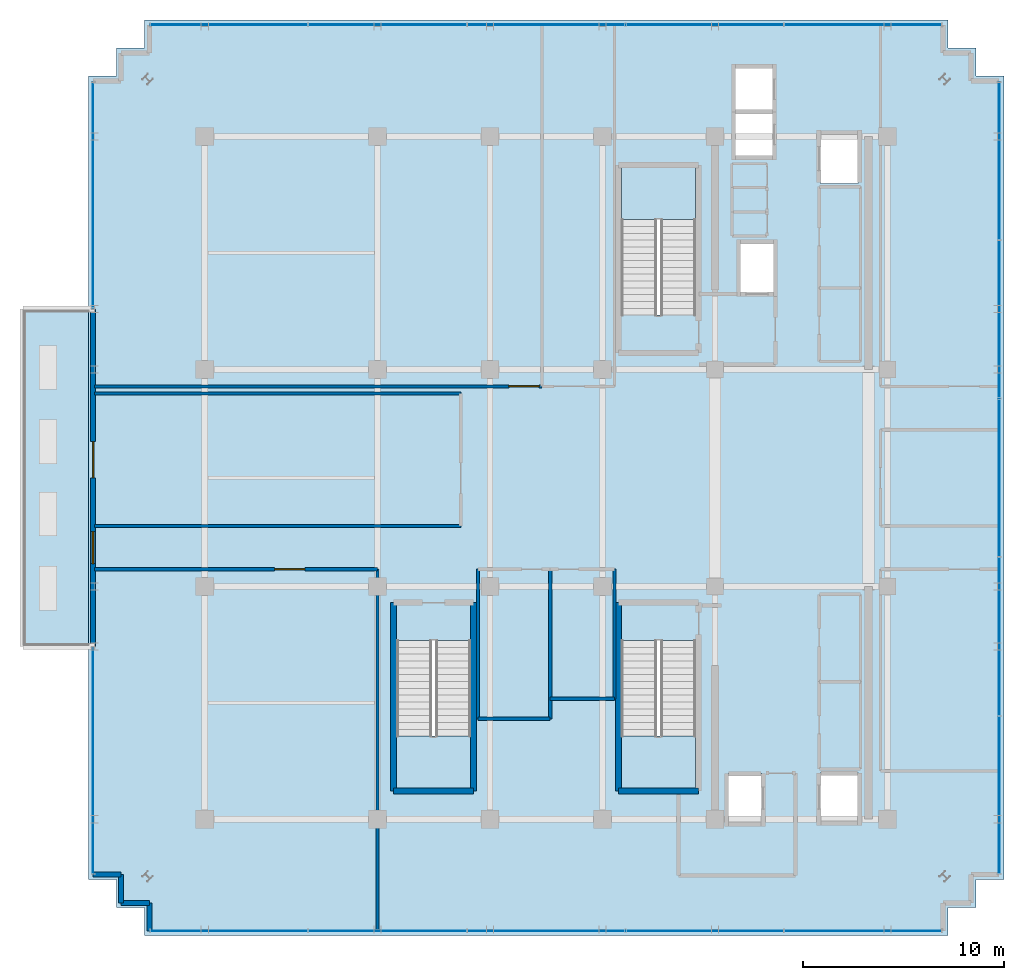
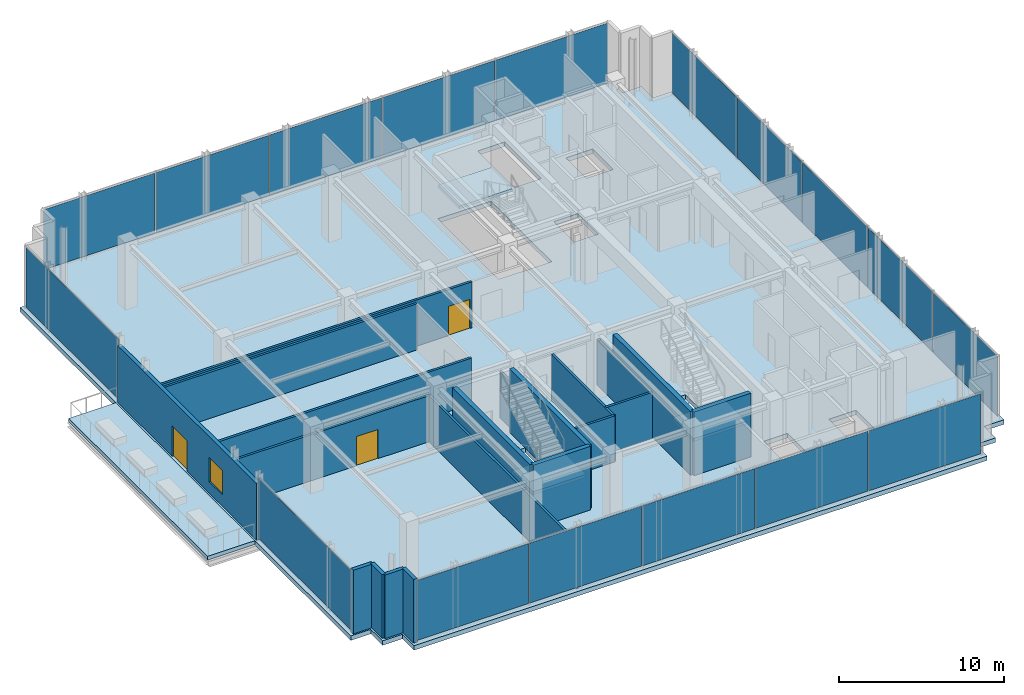
# One storey, part 22 of 28: 20 walls, 17 plates, 5 slabs, 3 doors, 1 window, 4 openings, 8 elements without a shape of their own.
"""IFC4 building model written with IfcOpenShell, lengths in metres."""

import ifcopenshell
import ifcopenshell.guid

model = None  # the IFC model being written
_history = None  # IfcOwnerHistory: only IFC2X3 demands one
_inside = {}  # id of a spatial element -> (the spatial element, [elements in it])
_under = {}  # id of a project, library or spatial element -> (it, [spatial elements below it])
_declared = {}  # id of a project -> (the project, [libraries it declares])
_typed = {}  # id of a type object -> (the type object, [elements of that type])
_made_of = {}  # id of a material, layer set ... -> (it, [elements and type objects made of it])


def new_model(schema):
    """Start an empty IFC model of exactly this schema.

    Asked for "IFC4X3", IfcOpenShell would pick the latest addendum, in which some entities
    have other attributes; the version numbers below select the first issue.
    IFC2X3 requires an IfcOwnerHistory on every rooted entity: one is made here for all.
    """
    global model, _history
    if schema == "IFC4X3":
        model = ifcopenshell.file(schema_version=(4, 3, 0, 0))
    else:
        model = ifcopenshell.file(schema=schema)
    _inside.clear()
    _under.clear()
    _declared.clear()
    _typed.clear()
    _made_of.clear()
    _history = None
    if model.schema == "IFC2X3":
        org = make("IfcOrganization", Name="unknown")
        user = make(
            "IfcPersonAndOrganization",
            ThePerson=make("IfcPerson", FamilyName="unknown"),
            TheOrganization=org,
        )
        app = make(
            "IfcApplication",
            ApplicationDeveloper=org,
            Version="unknown",
            ApplicationFullName="unknown",
            ApplicationIdentifier="unknown",
        )
        _history = make(
            "IfcOwnerHistory",
            OwningUser=user,
            OwningApplication=app,
            ChangeAction="ADDED",
            CreationDate=0,
        )
    return model


def make(cls, **values):
    """One entity of the class cls with the attributes given. An attribute that is None is left unset."""
    return model.create_entity(
        cls, **{name: value for name, value in values.items() if value is not None}
    )


def rooted(cls, **values):
    """An entity with a GlobalId (a new one), such as an element, a storey or a relation."""
    return make(cls, GlobalId=ifcopenshell.guid.new(), OwnerHistory=_history, **values)


def si_unit(unit_type, name, prefix=None):
    """IfcSIUnit, for example si_unit("LENGTHUNIT", "METRE", prefix="MILLI")."""
    return make("IfcSIUnit", UnitType=unit_type, Prefix=prefix, Name=name)


def assignment(units):
    """IfcUnitAssignment: the units of a project."""
    return None if units is None else make("IfcUnitAssignment", Units=units)


def point(xyz):
    """IfcCartesianPoint."""
    return None if xyz is None else make("IfcCartesianPoint", Coordinates=xyz)


def direction(xyz):
    """IfcDirection."""
    return None if xyz is None else make("IfcDirection", DirectionRatios=xyz)


def frame(location, z_axis=None, x_axis=None):
    """IfcAxis2Placement3D, a coordinate frame: its origin and axes. An axis left out is left unset."""
    return make(
        "IfcAxis2Placement3D",
        Location=point(location),
        Axis=direction(z_axis),
        RefDirection=direction(x_axis),
    )


def frame_2d(location, x_axis=None):
    """IfcAxis2Placement2D, a coordinate frame in the plane: its origin and x axis."""
    return make(
        "IfcAxis2Placement2D", Location=point(location), RefDirection=direction(x_axis)
    )


def origin():
    """The frame at (0, 0, 0) with its axes left unset."""
    return frame((0.0, 0.0, 0.0))


def origin_2d():
    """The frame at (0, 0) in the plane with its x axis left unset."""
    return frame_2d((0.0, 0.0))


def place(relative_to, where):
    """IfcLocalPlacement: puts the frame where relative to a parent placement (None: the world)."""
    return make(
        "IfcLocalPlacement", PlacementRelTo=relative_to, RelativePlacement=where
    )


def context(
    kind, dimensions, precision=None, world=None, true_north=None, identifier=None
):
    """IfcGeometricRepresentationContext, for example the 3D "Model" context."""
    return make(
        "IfcGeometricRepresentationContext",
        ContextIdentifier=identifier,
        ContextType=kind,
        CoordinateSpaceDimension=dimensions,
        Precision=precision,
        WorldCoordinateSystem=world,
        TrueNorth=true_north,
    )


def subcontext(parent, identifier, kind, view, scale=None):
    """IfcGeometricRepresentationSubContext, for example "Body" below "Model"."""
    return make(
        "IfcGeometricRepresentationSubContext",
        ContextIdentifier=identifier,
        ContextType=kind,
        ParentContext=parent,
        TargetScale=scale,
        TargetView=view,
    )


def project(units=None, contexts=None):
    """IfcProject with its units and contexts."""
    return rooted(
        "IfcProject",
        Name="project",
        RepresentationContexts=contexts,
        UnitsInContext=assignment(units),
    )


def spatial(cls, under=None, at=None, **own):
    """A site, building, storey or space (cls), placed at a placement, below another one or the project."""
    s = rooted(cls, ObjectPlacement=at, **own)
    if under is not None:
        _under.setdefault(under.id(), (under, []))[1].append(s)
    return s


def polyline(points):
    """IfcPolyline through the points."""
    return make("IfcPolyline", Points=[point(p) for p in points])


def profile(cls, at=None, kind="AREA", **sizes):
    """A parametric profile (cls). Its sizes go by their IFC names, for example OverallWidth=200.0."""
    return make(cls, ProfileType=kind, Position=at, **sizes)


def rectangle(**sizes):
    """IfcRectangleProfileDef."""
    return profile("IfcRectangleProfileDef", **sizes)


def outline(outer, holes=None, kind="AREA"):
    """IfcArbitraryClosedProfileDef: a profile drawn as a closed curve; with holes, ...WithVoids."""
    if holes is None:
        return make("IfcArbitraryClosedProfileDef", ProfileType=kind, OuterCurve=outer)
    return make(
        "IfcArbitraryProfileDefWithVoids",
        ProfileType=kind,
        OuterCurve=outer,
        InnerCurves=holes,
    )


def extrude(swept, where, along, depth):
    """IfcExtrudedAreaSolid: the profile swept, set in the frame where, extruded along a direction by depth."""
    return make(
        "IfcExtrudedAreaSolid",
        SweptArea=swept,
        Position=where,
        ExtrudedDirection=direction(along),
        Depth=depth,
    )


def shape(context_of_items, identifier, shape_type, items):
    """IfcShapeRepresentation: the items that make up one representation, for example the "Body"."""
    return make(
        "IfcShapeRepresentation",
        ContextOfItems=context_of_items,
        RepresentationIdentifier=identifier,
        RepresentationType=shape_type,
        Items=items,
    )


def source(mapping_origin, context_of_items, identifier, shape_type, items):
    """IfcRepresentationMap: a shape defined once, which mapped items show again and again."""
    return make(
        "IfcRepresentationMap",
        MappingOrigin=mapping_origin,
        MappedRepresentation=shape(context_of_items, identifier, shape_type, items),
    )


def transform(
    local_origin,
    x_axis=None,
    y_axis=None,
    z_axis=None,
    scale=None,
    scale2=None,
    scale3=None,
    uniform=True,
):
    """IfcCartesianTransformationOperator3D, or its non-uniform kind. x_axis, y_axis, z_axis: its Axis1, 2, 3."""
    if uniform:
        return make(
            "IfcCartesianTransformationOperator3D",
            Axis1=direction(x_axis),
            Axis2=direction(y_axis),
            LocalOrigin=point(local_origin),
            Scale=scale,
            Axis3=direction(z_axis),
        )
    return make(
        "IfcCartesianTransformationOperator3DnonUniform",
        Axis1=direction(x_axis),
        Axis2=direction(y_axis),
        LocalOrigin=point(local_origin),
        Scale=scale,
        Axis3=direction(z_axis),
        Scale2=scale2,
        Scale3=scale3,
    )


def mapped(mapping_source, mapping_target):
    """IfcMappedItem: shows the shape of a source again, moved by a transform."""
    return make(
        "IfcMappedItem", MappingSource=mapping_source, MappingTarget=mapping_target
    )


def material(Name=None, Category=None):
    """IfcMaterial."""
    return make("IfcMaterial", Name=Name, Category=Category)


def layer(
    of_material, thickness, ventilated=None, Name=None, Category=None, Priority=None
):
    """IfcMaterialLayer: one layer of a wall or slab, of a material (None: an air gap)."""
    return make(
        "IfcMaterialLayer",
        Material=of_material,
        LayerThickness=thickness,
        IsVentilated=ventilated,
        Name=Name,
        Category=Category,
        Priority=Priority,
    )


def layer_set(layers, Name=None):
    """IfcMaterialLayerSet."""
    return make("IfcMaterialLayerSet", MaterialLayers=layers, LayerSetName=Name)


def made_of(thing, what):
    """Note that an element or type object is made of a material, layer set ...; save() writes the relation."""
    if what is not None:
        _made_of.setdefault(what.id(), (what, []))[1].append(thing)
    return thing


def type_object(cls, material=None, **own):
    """A type object (cls), such as IfcWallType, which elements share."""
    return made_of(rooted(cls, **own), material)


def element(
    cls,
    number,
    at=None,
    inside=None,
    cuts=None,
    type_object=None,
    material=None,
    context=None,
    identifier="Body",
    shape_type=None,
    held_by="IfcProductDefinitionShape",
    body=None,
    shapes=None,
    **own,
):
    """One element of the class cls, such as IfcWall. Its Tag is "e" and its number.

    at: its placement. inside: the storey or other place that contains it. cuts: it is an
    opening in that element (IfcRelVoidsElement). A single representation is given by context,
    identifier, shape_type and body (its items); several are given by shapes. held_by: the class
    of the entity that holds the representations. save() writes the other relations.
    """
    e = rooted(cls, Tag="e%d" % number, ObjectPlacement=at, **own)
    if body is not None:
        shapes = [shape(context, identifier, shape_type, body)]
    if shapes is not None:
        e.Representation = make(held_by, Representations=shapes)
    if inside is not None:
        _inside.setdefault(inside.id(), (inside, []))[1].append(e)
    if cuts is not None:
        rooted(
            "IfcRelVoidsElement", RelatingBuildingElement=cuts, RelatedOpeningElement=e
        )
    if type_object is not None:
        _typed.setdefault(type_object.id(), (type_object, []))[1].append(e)
    return made_of(e, material)


def fill(opening, filler):
    """IfcRelFillsElement: the door or window that sits in an opening."""
    return rooted(
        "IfcRelFillsElement",
        RelatingOpeningElement=opening,
        RelatedBuildingElement=filler,
    )


def aggregate(whole, parts):
    """IfcRelAggregates: a whole, such as a stair, and the parts it consists of."""
    return rooted("IfcRelAggregates", RelatingObject=whole, RelatedObjects=parts)


def save(model, path):
    """Write the relations noted so far, then the file.

    IfcRelAggregates (storeys below a building ...), IfcRelContainedInSpatialStructure (elements
    in a storey), IfcRelDefinesByType, IfcRelAssociatesMaterial and IfcRelDeclares: one each for
    every whole, place, type object, material and project.
    """
    for whole, parts in _under.values():
        aggregate(whole, parts)
    for where, things in _inside.values():
        rooted(
            "IfcRelContainedInSpatialStructure",
            RelatedElements=things,
            RelatingStructure=where,
        )
    for kind, things in _typed.values():
        rooted("IfcRelDefinesByType", RelatedObjects=things, RelatingType=kind)
    for what, things in _made_of.values():
        rooted("IfcRelAssociatesMaterial", RelatedObjects=things, RelatingMaterial=what)
    for by, libraries in _declared.values():
        rooted("IfcRelDeclares", RelatingContext=by, RelatedDefinitions=libraries)
    model.write(path)


model = new_model("IFC4")

# Units and contexts
model_context = context("Model", 3, precision=1e-05, world=origin(), true_north=direction((0.0, 1.0)))
body_context = subcontext(model_context, "Body", "Model", "MODEL_VIEW")
ifc_project = project(units=[si_unit("LENGTHUNIT", "METRE"), si_unit("AREAUNIT", "SQUARE_METRE"), si_unit("VOLUMEUNIT", "CUBIC_METRE"), si_unit("PLANEANGLEUNIT", "RADIAN"), si_unit("MASSUNIT", "GRAM", prefix="KILO")], contexts=[model_context])

# Site, building, storey
site_placement = place(None, origin())
site = spatial("IfcSite", under=ifc_project, at=site_placement, CompositionType="ELEMENT")
building_placement = place(site_placement, origin())
building = spatial("IfcBuilding", under=site, at=building_placement, Name="Nahalor Promenade Grand Hotel", CompositionType="ELEMENT")
storey_placement = place(building_placement, frame((0.0, 0.0, 352.050048828125)))
storey = spatial("IfcBuildingStorey", under=building, at=storey_placement, Name="L90", CompositionType="ELEMENT", Elevation=352.050048828125)

# Stair, slab
ifc_material_1 = material(Name="Concrete B-50 (C40/50)", Category="concrete")
stair_type_1 = type_object("IfcStairType", Name="Stair-ST1", PredefinedType="HALF_TURN_STAIR", material=ifc_material_1)
stair_1_placement = place(storey_placement, origin())
stair_1 = element("IfcStair", 1, at=stair_1_placement, inside=storey, type_object=stair_type_1, Name="L90 ST1", PredefinedType="HALF_TURN_STAIR")
ifc_layer_1 = layer(ifc_material_1, 0.199951171875)
ifc_layer_set_1 = layer_set([ifc_layer_1], Name="Concrete B-50 (C40/50)")
slab_type_1 = type_object("IfcSlabType", Name="Landing-ST1", PredefinedType="LANDING", material=ifc_layer_set_1)
slab_1_placement = place(storey_placement, frame((0.0, 0.0, 2.300048828125)))
slab_1 = element("IfcSlab", 2, at=slab_1_placement, type_object=slab_type_1, Name="ST1 landing 1", PredefinedType="LANDING", context=body_context, shape_type="SweptSolid", body=[
    extrude(outline(polyline([(7.449951171875, 12.860107421875), (7.449951171875, 15.449951171875), (3.75, 15.449951171875), (3.75, 12.860107421875), (7.449951171875, 12.860107421875)])), origin(), (0.0, 0.0, 1.0), 0.199951171875),
])
aggregate(stair_1, [slab_1])

stair_type_2 = type_object("IfcStairType", Name="Stair-ST2", PredefinedType="HALF_TURN_STAIR", material=ifc_material_1)
stair_2_placement = place(storey_placement, origin())
stair_2 = element("IfcStair", 3, at=stair_2_placement, inside=storey, type_object=stair_type_2, Name="L90 ST2", PredefinedType="HALF_TURN_STAIR")
ifc_layer_2 = layer(ifc_material_1, 0.2099609375)
ifc_layer_set_2 = layer_set([ifc_layer_2], Name="Concrete B-50 (C40/50)")
slab_type_2 = type_object("IfcSlabType", Name="Landing-ST2", PredefinedType="LANDING", material=ifc_layer_set_2)
slab_2_placement = place(storey_placement, frame((0.0, 0.0, 2.2900390625)))
slab_2 = element("IfcSlab", 4, at=slab_2_placement, type_object=slab_type_2, Name="ST2 landing 1", PredefinedType="LANDING", context=body_context, shape_type="SweptSolid", body=[
    extrude(outline(polyline([(3.75, -12.860107421875), (3.75, -15.449951171875), (7.449951171875, -15.449951171875), (7.449951171875, -12.860107421875), (3.75, -12.860107421875)])), origin(), (0.0, 0.0, 1.0), 0.2099609375),
])
aggregate(stair_2, [slab_2])

stair_type_3 = type_object("IfcStairType", Name="Stair-ST3", PredefinedType="HALF_TURN_STAIR", material=ifc_material_1)
stair_3_placement = place(storey_placement, origin())
stair_3 = element("IfcStair", 5, at=stair_3_placement, inside=storey, type_object=stair_type_3, Name="L90 ST3", PredefinedType="HALF_TURN_STAIR")
ifc_layer_3 = layer(ifc_material_1, 0.219970703125)
ifc_layer_set_3 = layer_set([ifc_layer_3], Name="Concrete B-50 (C40/50)")
slab_type_3 = type_object("IfcSlabType", Name="Landing-ST3", PredefinedType="LANDING", material=ifc_layer_set_3)
slab_3_placement = place(storey_placement, frame((0.0, 0.0, 2.280029296875)))
slab_3 = element("IfcSlab", 6, at=slab_3_placement, type_object=slab_type_3, Name="ST3 landing 1", PredefinedType="LANDING", context=body_context, shape_type="SweptSolid", body=[
    extrude(outline(polyline([(-7.449951171875, -12.860107421875), (-7.449951171875, -15.449951171875), (-3.75, -15.449951171875), (-3.75, -12.860107421875), (-7.449951171875, -12.860107421875)])), origin(), (0.0, 0.0, 1.0), 0.219970703125),
])
aggregate(stair_3, [slab_3])

# Slabs
ifc_layer_4 = layer(ifc_material_1, 0.280029296875)
ifc_layer_set_4 = layer_set([ifc_layer_4], Name="Concrete B-50 (C40/50)")
slab_type_4 = type_object("IfcSlabType", Name="Slab-Balcony-280", PredefinedType="FLOOR", material=ifc_layer_set_4)
slab_4_placement = place(storey_placement, frame((0.0, 0.0, -0.280029296875)))
element("IfcSlab", 7, at=slab_4_placement, inside=storey, type_object=slab_type_4, Name="L90 Sky Garden Belvedere Terrace", PredefinedType="FLOOR", context=body_context, shape_type="SweptSolid", body=[
    extrude(outline(polyline([(-26.10009765625, -8.39990234375), (-22.800048828125, -8.39990234375), (-22.800048828125, 8.39990234375), (-26.10009765625, 8.39990234375), (-26.10009765625, -8.39990234375)])), origin(), (0.0, 0.0, 1.0), 0.280029296875),
])
ifc_layer_5 = layer(ifc_material_1, 0.330078125)
ifc_layer_set_5 = layer_set([ifc_layer_5], Name="Concrete B-50 (C40/50)")
slab_type_5 = type_object("IfcSlabType", Name="Slab-Observation-330", PredefinedType="FLOOR", material=ifc_layer_set_5)
slab_5_placement = place(storey_placement, frame((0.0, 0.0, -0.330078125)))
element("IfcSlab", 8, at=slab_5_placement, inside=storey, type_object=slab_type_5, Name="L90 Suspended Structural Floor Slab", PredefinedType="FLOOR", context=body_context, shape_type="SweptSolid", body=[
    extrude(outline(polyline([(-20.0, -22.800048828125), (20.0, -22.800048828125), (20.0, -21.39990234375), (21.39990234375, -21.39990234375), (21.39990234375, -20.0), (22.800048828125, -20.0), (22.800048828125, 20.0), (21.39990234375, 20.0), (21.39990234375, 21.39990234375), (20.0, 21.39990234375), (20.0, 22.800048828125), (-20.0, 22.800048828125), (-20.0, 21.39990234375), (-21.39990234375, 21.39990234375), (-21.39990234375, 20.0), (-22.800048828125, 20.0), (-22.800048828125, -20.0), (-21.39990234375, -20.0), (-21.39990234375, -21.39990234375), (-20.0, -21.39990234375), (-20.0, -22.800048828125)]), holes=[polyline([(3.75, 8.10009765625), (7.449951171875, 8.10009765625), (7.449951171875, 15.449951171875), (3.75, 15.449951171875), (3.75, 8.10009765625)]), polyline([(3.75, -15.449951171875), (7.449951171875, -15.449951171875), (7.449951171875, -8.10009765625), (3.75, -8.10009765625), (3.75, -15.449951171875)]), polyline([(-7.449951171875, -15.449951171875), (-3.75, -15.449951171875), (-3.75, -8.10009765625), (-7.449951171875, -8.10009765625), (-7.449951171875, -15.449951171875)]), polyline([(9.409912109375, 16.010009765625), (11.2900390625, 16.010009765625), (11.2900390625, 20.43994140625), (9.409912109375, 20.43994140625), (9.409912109375, 16.010009765625)]), polyline([(9.659912109375, 9.2099609375), (11.340087890625, 9.2099609375), (11.340087890625, 11.68994140625), (9.659912109375, 11.68994140625), (9.659912109375, 9.2099609375)]), polyline([(9.06005859375, -17.18994140625), (10.739990234375, -17.18994140625), (10.739990234375, -14.7099609375), (9.06005859375, -14.7099609375), (9.06005859375, -17.18994140625)]), polyline([(13.659912109375, 14.659912109375), (15.5400390625, 14.659912109375), (15.5400390625, 17.139892578125), (13.659912109375, 17.139892578125), (13.659912109375, 14.659912109375)]), polyline([(13.659912109375, -17.139892578125), (15.5400390625, -17.139892578125), (15.5400390625, -14.659912109375), (13.659912109375, -14.659912109375), (13.659912109375, -17.139892578125)])]), origin(), (0.0, 0.0, 1.0), 0.330078125),
])

# Curtain wall, plates
ifc_material_2 = material(Name="Anodised Bronze Aluminium EN AW-6063 T6", Category="aluminium")
curtain_wall_type = type_object("IfcCurtainWallType", Name="CW6 Crown Botanical Conservatory Curtain Wall", PredefinedType="USERDEFINED", material=ifc_material_2)
curtain_wall_1_placement = place(storey_placement, origin())
curtain_wall_1 = element("IfcCurtainWall", 9, at=curtain_wall_1_placement, inside=storey, type_object=curtain_wall_type, Name="L90 Curtain Wall CW-L90-S-1", ObjectType="UNITISED_CURTAIN_WALL", PredefinedType="USERDEFINED")
ifc_material_3 = material(Name="Low-E Laminated Solar Glass", Category="glass")
ifc_layer_6 = layer(ifc_material_3, 0.033935546875)
ifc_layer_set_6 = layer_set([ifc_layer_6], Name="Low-E Laminated Solar Glass")
plate_type = type_object("IfcPlateType", Name="CWP6 Conservatory Solar-Select IGU 34mm", PredefinedType="CURTAIN_PANEL", material=ifc_layer_set_6)
shared_shape_1 = source(origin(), body_context, "Body", "SweptSolid", [
    extrude(rectangle(XDim=7.79150390625, YDim=0.033935546875, at=origin_2d()), origin(), (0.0, 0.0, 1.0), 4.429931640625),
])
plate_1_placement = place(storey_placement, frame((-15.789306640625, -22.56005859375, 0.134765625), z_axis=(0.0, 0.0, 1.0), x_axis=(1.0, 0.0, 0.0)))
plate_1 = element("IfcPlate", 10, at=plate_1_placement, type_object=plate_type, Name="CW-L90-S-1 Glazing Panel 0-0", PredefinedType="CURTAIN_PANEL", context=body_context, shape_type="MappedRepresentation", body=[
    mapped(shared_shape_1, transform((0.0, 0.0, 0.0), scale=1.0)),
])
plate_2_placement = place(storey_placement, frame((15.789306640625, -22.56005859375, 0.134765625), z_axis=(0.0, 0.0, 1.0), x_axis=(1.0, 0.0, 0.0)))
plate_2 = element("IfcPlate", 11, at=plate_2_placement, type_object=plate_type, Name="CW-L90-S-1 Glazing Panel 4-0", PredefinedType="CURTAIN_PANEL", context=body_context, shape_type="MappedRepresentation", body=[
    mapped(shared_shape_1, transform((0.0, 0.0, 0.0), scale=1.0)),
])

curtain_wall_2_placement = place(storey_placement, origin())
curtain_wall_2 = element("IfcCurtainWall", 12, at=curtain_wall_2_placement, inside=storey, type_object=curtain_wall_type, Name="L90 Curtain Wall CW-L90-N-1", ObjectType="UNITISED_CURTAIN_WALL", PredefinedType="USERDEFINED")
plate_3_placement = place(storey_placement, frame((-15.789306640625, 22.56005859375, 0.134765625), z_axis=(0.0, 0.0, 1.0), x_axis=(1.0, 0.0, 0.0)))
plate_3 = element("IfcPlate", 13, at=plate_3_placement, type_object=plate_type, Name="CW-L90-N-1 Glazing Panel 0-0", PredefinedType="CURTAIN_PANEL", context=body_context, shape_type="MappedRepresentation", body=[
    mapped(shared_shape_1, transform((0.0, 0.0, 0.0), scale=1.0)),
])
plate_4_placement = place(storey_placement, frame((15.789306640625, 22.56005859375, 0.134765625), z_axis=(0.0, 0.0, 1.0), x_axis=(1.0, 0.0, 0.0)))
plate_4 = element("IfcPlate", 14, at=plate_4_placement, type_object=plate_type, Name="CW-L90-N-1 Glazing Panel 4-0", PredefinedType="CURTAIN_PANEL", context=body_context, shape_type="MappedRepresentation", body=[
    mapped(shared_shape_1, transform((0.0, 0.0, 0.0), scale=1.0)),
])

curtain_wall_3_placement = place(storey_placement, origin())
curtain_wall_3 = element("IfcCurtainWall", 15, at=curtain_wall_3_placement, inside=storey, type_object=curtain_wall_type, Name="L90 Curtain Wall CW-L90-E-1", ObjectType="UNITISED_CURTAIN_WALL", PredefinedType="USERDEFINED")
plate_5_placement = place(storey_placement, frame((22.56005859375, -15.789306640625, 0.134765625), z_axis=(0.0, 0.0, 1.0), x_axis=(0.0, 1.0, 0.0)))
plate_5 = element("IfcPlate", 16, at=plate_5_placement, type_object=plate_type, Name="CW-L90-E-1 Glazing Panel 0-0", PredefinedType="CURTAIN_PANEL", context=body_context, shape_type="MappedRepresentation", body=[
    mapped(shared_shape_1, transform((0.0, 0.0, 0.0), scale=1.0)),
])
plate_6_placement = place(storey_placement, frame((22.56005859375, 15.789306640625, 0.134765625), z_axis=(0.0, 0.0, 1.0), x_axis=(0.0, 1.0, 0.0)))
plate_6 = element("IfcPlate", 17, at=plate_6_placement, type_object=plate_type, Name="CW-L90-E-1 Glazing Panel 4-0", PredefinedType="CURTAIN_PANEL", context=body_context, shape_type="MappedRepresentation", body=[
    mapped(shared_shape_1, transform((0.0, 0.0, 0.0), scale=1.0)),
])

# Plate
shared_shape_2 = source(origin(), body_context, "Body", "SweptSolid", [
    extrude(rectangle(XDim=7.8291015625, YDim=0.033935546875, at=origin_2d()), origin(), (0.0, 0.0, 1.0), 4.429931640625),
])
plate_7_placement = place(storey_placement, frame((-7.904052734375, -22.56005859375, 0.134765625), z_axis=(0.0, 0.0, 1.0), x_axis=(1.0, 0.0, 0.0)))
plate_7 = element("IfcPlate", 18, at=plate_7_placement, type_object=plate_type, Name="CW-L90-S-1 Glazing Panel 1-0", PredefinedType="CURTAIN_PANEL", context=body_context, shape_type="MappedRepresentation", body=[
    mapped(shared_shape_2, transform((0.0, 0.0, 0.0), scale=1.0)),
])

plate_8_placement = place(storey_placement, frame((0.0, -22.56005859375, 0.134765625), z_axis=(0.0, 0.0, 1.0), x_axis=(1.0, 0.0, 0.0)))
plate_8 = element("IfcPlate", 19, at=plate_8_placement, type_object=plate_type, Name="CW-L90-S-1 Glazing Panel 2-0", PredefinedType="CURTAIN_PANEL", context=body_context, shape_type="MappedRepresentation", body=[
    mapped(shared_shape_2, transform((0.0, 0.0, 0.0), scale=1.0)),
])

plate_9_placement = place(storey_placement, frame((7.904052734375, -22.56005859375, 0.134765625), z_axis=(0.0, 0.0, 1.0), x_axis=(1.0, 0.0, 0.0)))
plate_9 = element("IfcPlate", 20, at=plate_9_placement, type_object=plate_type, Name="CW-L90-S-1 Glazing Panel 3-0", PredefinedType="CURTAIN_PANEL", context=body_context, shape_type="MappedRepresentation", body=[
    mapped(shared_shape_2, transform((0.0, 0.0, 0.0), scale=1.0)),
])

aggregate(curtain_wall_1, [plate_1, plate_7, plate_8, plate_9, plate_2])

plate_10_placement = place(storey_placement, frame((-7.904052734375, 22.56005859375, 0.134765625), z_axis=(0.0, 0.0, 1.0), x_axis=(1.0, 0.0, 0.0)))
plate_10 = element("IfcPlate", 21, at=plate_10_placement, type_object=plate_type, Name="CW-L90-N-1 Glazing Panel 1-0", PredefinedType="CURTAIN_PANEL", context=body_context, shape_type="MappedRepresentation", body=[
    mapped(shared_shape_2, transform((0.0, 0.0, 0.0), scale=1.0)),
])

plate_11_placement = place(storey_placement, frame((0.0, 22.56005859375, 0.134765625), z_axis=(0.0, 0.0, 1.0), x_axis=(1.0, 0.0, 0.0)))
plate_11 = element("IfcPlate", 22, at=plate_11_placement, type_object=plate_type, Name="CW-L90-N-1 Glazing Panel 2-0", PredefinedType="CURTAIN_PANEL", context=body_context, shape_type="MappedRepresentation", body=[
    mapped(shared_shape_2, transform((0.0, 0.0, 0.0), scale=1.0)),
])

plate_12_placement = place(storey_placement, frame((7.904052734375, 22.56005859375, 0.134765625), z_axis=(0.0, 0.0, 1.0), x_axis=(1.0, 0.0, 0.0)))
plate_12 = element("IfcPlate", 23, at=plate_12_placement, type_object=plate_type, Name="CW-L90-N-1 Glazing Panel 3-0", PredefinedType="CURTAIN_PANEL", context=body_context, shape_type="MappedRepresentation", body=[
    mapped(shared_shape_2, transform((0.0, 0.0, 0.0), scale=1.0)),
])

aggregate(curtain_wall_2, [plate_3, plate_10, plate_11, plate_12, plate_4])

plate_13_placement = place(storey_placement, frame((22.56005859375, -7.904052734375, 0.134765625), z_axis=(0.0, 0.0, 1.0), x_axis=(0.0, 1.0, 0.0)))
plate_13 = element("IfcPlate", 24, at=plate_13_placement, type_object=plate_type, Name="CW-L90-E-1 Glazing Panel 1-0", PredefinedType="CURTAIN_PANEL", context=body_context, shape_type="MappedRepresentation", body=[
    mapped(shared_shape_2, transform((0.0, 0.0, 0.0), scale=1.0)),
])

plate_14_placement = place(storey_placement, frame((22.56005859375, 0.0, 0.134765625), z_axis=(0.0, 0.0, 1.0), x_axis=(0.0, 1.0, 0.0)))
plate_14 = element("IfcPlate", 25, at=plate_14_placement, type_object=plate_type, Name="CW-L90-E-1 Glazing Panel 2-0", PredefinedType="CURTAIN_PANEL", context=body_context, shape_type="MappedRepresentation", body=[
    mapped(shared_shape_2, transform((0.0, 0.0, 0.0), scale=1.0)),
])

plate_15_placement = place(storey_placement, frame((22.56005859375, 7.904052734375, 0.134765625), z_axis=(0.0, 0.0, 1.0), x_axis=(0.0, 1.0, 0.0)))
plate_15 = element("IfcPlate", 26, at=plate_15_placement, type_object=plate_type, Name="CW-L90-E-1 Glazing Panel 3-0", PredefinedType="CURTAIN_PANEL", context=body_context, shape_type="MappedRepresentation", body=[
    mapped(shared_shape_2, transform((0.0, 0.0, 0.0), scale=1.0)),
])

aggregate(curtain_wall_3, [plate_5, plate_13, plate_14, plate_15, plate_6])

# Curtain wall, plate
curtain_wall_4_placement = place(storey_placement, origin())
curtain_wall_4 = element("IfcCurtainWall", 27, at=curtain_wall_4_placement, inside=storey, type_object=curtain_wall_type, Name="L90 Curtain Wall CW-L90-W-1", ObjectType="UNITISED_CURTAIN_WALL", PredefinedType="USERDEFINED")
shared_shape_3 = source(origin(), body_context, "Body", "SweptSolid", [
    extrude(rectangle(XDim=11.2099609375, YDim=0.033935546875, at=origin_2d()), origin(), (0.0, 0.0, 1.0), 4.429931640625),
])
plate_16_placement = place(storey_placement, frame((-22.56005859375, -14.080078125, 0.134765625), z_axis=(0.0, 0.0, 1.0), x_axis=(0.0, 1.0, 0.0)))
plate_16 = element("IfcPlate", 28, at=plate_16_placement, type_object=plate_type, Name="CW-L90-W-1 Glazing Panel 0-0", PredefinedType="CURTAIN_PANEL", context=body_context, shape_type="MappedRepresentation", body=[
    mapped(shared_shape_3, transform((0.0, 0.0, 0.0), scale=1.0)),
])
aggregate(curtain_wall_4, [plate_16])

curtain_wall_5_placement = place(storey_placement, origin())
curtain_wall_5 = element("IfcCurtainWall", 29, at=curtain_wall_5_placement, inside=storey, type_object=curtain_wall_type, Name="L90 Curtain Wall CW-L90-W-3", ObjectType="UNITISED_CURTAIN_WALL", PredefinedType="USERDEFINED")
plate_17_placement = place(storey_placement, frame((-22.56005859375, 14.080078125, 0.134765625), z_axis=(0.0, 0.0, 1.0), x_axis=(0.0, 1.0, 0.0)))
plate_17 = element("IfcPlate", 30, at=plate_17_placement, type_object=plate_type, Name="CW-L90-W-3 Glazing Panel 0-0", PredefinedType="CURTAIN_PANEL", context=body_context, shape_type="MappedRepresentation", body=[
    mapped(shared_shape_3, transform((0.0, 0.0, 0.0), scale=1.0)),
])
aggregate(curtain_wall_5, [plate_17])

# Walls
ifc_layer_7 = layer(ifc_material_1, 0.300048828125)
ifc_layer_set_7 = layer_set([ifc_layer_7], Name="Concrete B-50 (C40/50)")
wall_type_1 = type_object("IfcWallType", Name="Wall-ShaftShear-300", PredefinedType="SHEAR", material=ifc_layer_set_7)
shared_shape_4 = source(origin(), body_context, "Body", "SweptSolid", [
    extrude(rectangle(XDim=3.97998046875, YDim=0.300048828125, at=frame_2d((1.989990234375, 0.0))), origin(), (0.0, 0.0, 1.0), 4.699951171875),
])
for number, where, z_axis, x_axis, name in (
    (31, (3.610107421875, -15.590087890625, 0.0), (0.0, 0.0, 1.0), (1.0, 0.0, 0.0), "L90 Exit Stair ST2 Shaft Wall S"),
    (32, (-7.590087890625, -15.590087890625, 0.0), (0.0, 0.0, 1.0), (1.0, 0.0, 0.0), "L90 Exit Stair ST3 Shaft Wall S"),
):
    element("IfcWall", number, at=place(storey_placement, frame(where, z_axis=z_axis, x_axis=x_axis)), inside=storey, type_object=wall_type_1, Name=name, PredefinedType="SHEAR", context=body_context, shape_type="MappedRepresentation", body=[
        mapped(shared_shape_4, transform((0.0, 0.0, 0.0), scale=1.0)),
    ])
shared_shape_5 = source(origin(), body_context, "Body", "SweptSolid", [
    extrude(rectangle(XDim=9.380126953125, YDim=0.300048828125, at=frame_2d((4.68994140625, 0.0))), origin(), (0.0, 0.0, 1.0), 4.699951171875),
])
for number, where, z_axis, x_axis, name in (
    (33, (3.610107421875, -15.590087890625, 0.0), (0.0, 0.0, 1.0), (0.0, 1.0, 0.0), "L90 Exit Stair ST2 Shaft Wall W"),
    (34, (-7.590087890625, -15.590087890625, 0.0), (0.0, 0.0, 1.0), (0.0, 1.0, 0.0), "L90 Exit Stair ST3 Shaft Wall W"),
    (35, (-3.610107421875, -15.590087890625, 0.0), (0.0, 0.0, 1.0), (0.0, 1.0, 0.0), "L90 Exit Stair ST3 Shaft Wall E"),
):
    element("IfcWall", number, at=place(storey_placement, frame(where, z_axis=z_axis, x_axis=x_axis)), inside=storey, type_object=wall_type_1, Name=name, PredefinedType="SHEAR", context=body_context, shape_type="MappedRepresentation", body=[
        mapped(shared_shape_5, transform((0.0, 0.0, 0.0), scale=1.0)),
    ])
ifc_material_4 = material(Name="Concrete B-40 (C32/40)", Category="concrete")
ifc_layer_8 = layer(ifc_material_4, 0.25)
ifc_layer_set_8 = layer_set([ifc_layer_8], Name="Concrete B-40 (C32/40)")
wall_type_2 = type_object("IfcWallType", Name="Wall-BronzePier-250", PredefinedType="STANDARD", material=ifc_layer_set_8)
shared_shape_6 = source(origin(), body_context, "Body", "SweptSolid", [
    extrude(rectangle(XDim=1.400146484375, YDim=0.25, at=frame_2d((0.7001953125, 0.0))), origin(), (0.0, 0.0, 1.0), 4.699951171875),
])
for number, where, z_axis, x_axis, name in (
    (36, (-22.56005859375, -19.760009765625, 0.0), (0.0, 0.0, 1.0), (1.0, 0.0, 0.0), "W-L90-SR-13"),
    (37, (-19.760009765625, -22.56005859375, 0.0), (0.0, 0.0, 1.0), (0.0, 1.0, 0.0), "W-L90-SR-16"),
):
    element("IfcWall", number, at=place(storey_placement, frame(where, z_axis=z_axis, x_axis=x_axis)), inside=storey, type_object=wall_type_2, Name=name, PredefinedType="STANDARD", context=body_context, shape_type="MappedRepresentation", body=[
        mapped(shared_shape_6, transform((0.0, 0.0, 0.0), scale=1.0)),
    ])
shared_shape_7 = source(origin(), body_context, "Body", "SweptSolid", [
    extrude(rectangle(XDim=1.39990234375, YDim=0.25, at=frame_2d((0.699951171875, 0.0))), origin(), (0.0, 0.0, 1.0), 4.699951171875),
])
for number, where, z_axis, x_axis, name in (
    (38, (-21.159912109375, -21.159912109375, 0.0), (0.0, 0.0, 1.0), (0.0, 1.0, 0.0), "W-L90-SR-14"),
    (39, (-21.159912109375, -21.159912109375, 0.0), (0.0, 0.0, 1.0), (1.0, 0.0, 0.0), "W-L90-SR-15"),
):
    element("IfcWall", number, at=place(storey_placement, frame(where, z_axis=z_axis, x_axis=x_axis)), inside=storey, type_object=wall_type_2, Name=name, PredefinedType="STANDARD", context=body_context, shape_type="MappedRepresentation", body=[
        mapped(shared_shape_7, transform((0.0, 0.0, 0.0), scale=1.0)),
    ])

# Wall, openings, door, window
ifc_layer_9 = layer(ifc_material_4, 0.260009765625)
ifc_layer_set_9 = layer_set([ifc_layer_9], Name="Concrete B-40 (C32/40)")
wall_type_3 = type_object("IfcWallType", Name="Wall-BalconyWall-260", PredefinedType="STANDARD", material=ifc_layer_set_9)
shared_shape_8 = source(origin(), body_context, "Body", "SweptSolid", [
    extrude(rectangle(XDim=16.7998046875, YDim=0.260009765625, at=frame_2d((8.39990234375, 0.0))), origin(), (0.0, 0.0, 1.0), 4.179931640625),
])
wall_1_placement = place(storey_placement, frame((-22.56005859375, -8.39990234375, 0.0), z_axis=(0.0, 0.0, 1.0), x_axis=(0.0, 1.0, 0.0)))
wall_1 = element("IfcWall", 40, at=wall_1_placement, inside=storey, type_object=wall_type_3, Name="W-L90-BALC-W-2", PredefinedType="STANDARD", context=body_context, shape_type="MappedRepresentation", body=[
    mapped(shared_shape_8, transform((0.0, 0.0, 0.0), scale=1.0)),
])
opening_1_placement = place(wall_1_placement, frame((8.39990234375, 0.0, 0.0)))
opening_1 = element("IfcOpeningElement", 41, at=opening_1_placement, cuts=wall_1, Name="Opening D-BC1", PredefinedType="OPENING", context=body_context, shape_type="SweptSolid", body=[
    extrude(rectangle(XDim=1.800048828125, YDim=2.25, at=frame_2d((0.89990234375, 1.125))), frame((0.0, 0.139892578125, 0.0), z_axis=(0.0, -1.0, 0.0), x_axis=(1.0, 0.0, 0.0)), (0.0, 0.0, 1.0), 0.280029296875),
])
opening_2_placement = place(wall_1_placement, frame((4.125, 0.0, 0.85009765625)))
opening_2 = element("IfcOpeningElement", 42, at=opening_2_placement, cuts=wall_1, Name="Opening WN-03", PredefinedType="OPENING", context=body_context, shape_type="SweptSolid", body=[
    extrude(rectangle(XDim=1.60009765625, YDim=1.800048828125, at=frame_2d((0.800048828125, 0.89990234375))), frame((0.0, 0.139892578125, 0.0), z_axis=(0.0, -1.0, 0.0), x_axis=(1.0, 0.0, 0.0)), (0.0, 0.0, 1.0), 0.280029296875),
])
door_type_1 = type_object("IfcDoorType", Name="Door-BalconySlide-1800", OperationType="DOUBLE_DOOR_SLIDING", PredefinedType="DOOR", material=ifc_material_2)
shared_shape_9 = source(origin(), body_context, "Body", "SweptSolid", [
    extrude(rectangle(XDim=1.800048828125, YDim=2.25, at=frame_2d((0.89990234375, 1.125))), frame((0.0, 0.02490234375, 0.0), z_axis=(0.0, -1.0, 0.0), x_axis=(1.0, 0.0, 0.0)), (0.0, 0.0, 1.0), 0.050048828125),
])
door_1_placement = place(opening_1_placement, origin())
door_1 = element("IfcDoor", 43, at=door_1_placement, inside=storey, type_object=door_type_1, Name="DR-L90-BALC-W-2", OperationType="DOUBLE_DOOR_SLIDING", OverallHeight=2.25, OverallWidth=1.800048828125, PredefinedType="DOOR", context=body_context, shape_type="MappedRepresentation", body=[
    mapped(shared_shape_9, transform((0.0, 0.0, 0.0), scale=1.0)),
])
fill(opening_1, door_1)
window_type = type_object("IfcWindowType", Name="Win-CrownVented-1600x1800", PartitioningType="SINGLE_PANEL", PredefinedType="WINDOW", material=ifc_material_3)
shared_shape_10 = source(origin(), body_context, "Body", "SweptSolid", [
    extrude(rectangle(XDim=1.60009765625, YDim=1.800048828125, at=frame_2d((0.800048828125, 0.89990234375))), frame((0.0, 0.030029296875, 0.0), z_axis=(0.0, -1.0, 0.0), x_axis=(1.0, 0.0, 0.0)), (0.0, 0.0, 1.0), 0.06005859375),
])
window_placement = place(opening_2_placement, origin())
window = element("IfcWindow", 44, at=window_placement, inside=storey, type_object=window_type, Name="WN-L90-BALC-W-2-1", OverallHeight=1.800048828125, OverallWidth=1.60009765625, PartitioningType="SINGLE_PANEL", PredefinedType="WINDOW", context=body_context, shape_type="MappedRepresentation", body=[
    mapped(shared_shape_10, transform((0.0, 0.0, 0.0), scale=1.0)),
])
fill(opening_2, window)

# Walls
ifc_material_5 = material(Name="Acoustic Mineral Gypsum", Category="gypsum")
ifc_layer_10 = layer(ifc_material_5, 0.159912109375)
ifc_layer_set_10 = layer_set([ifc_layer_10], Name="Acoustic Mineral Gypsum")
wall_type_4 = type_object("IfcWallType", Name="Wall-PartCorridor-160", PredefinedType="PARTITIONING", material=ifc_layer_set_10)
shared_shape_11 = source(origin(), body_context, "Body", "SweptSolid", [
    extrude(rectangle(XDim=7.449951171875, YDim=0.159912109375, at=frame_2d((3.72509765625, 0.0))), origin(), (0.0, 0.0, 1.0), 3.39990234375),
])
for number, where, z_axis, x_axis, name in (
    (45, (-3.39990234375, -12.0, 0.0), (0.0, 0.0, 1.0), (0.0, 1.0, 0.0), "W-L90-SK08-W"),
    (46, (0.199951171875, -12.0, 0.0), (0.0, 0.0, 1.0), (0.0, 1.0, 0.0), "W-L90-SK08-E"),
):
    element("IfcWall", number, at=place(storey_placement, frame(where, z_axis=z_axis, x_axis=x_axis)), inside=storey, type_object=wall_type_4, Name=name, PredefinedType="PARTITIONING", context=body_context, shape_type="MappedRepresentation", body=[
        mapped(shared_shape_11, transform((0.0, 0.0, 0.0), scale=1.0)),
    ])
shared_shape_12 = source(origin(), body_context, "Body", "SweptSolid", [
    extrude(rectangle(XDim=18.25, YDim=0.159912109375, at=frame_2d((9.125, 0.0))), origin(), (0.0, 0.0, 1.0), 3.39990234375),
])
for number, where, z_axis, x_axis, name in (
    (47, (-22.5, -2.39990234375, 0.0), (0.0, 0.0, 1.0), (1.0, 0.0, 0.0), "W-L90-SK01-S"),
    (48, (-22.5, 4.199951171875, 0.0), (0.0, 0.0, 1.0), (1.0, 0.0, 0.0), "W-L90-SK01-N"),
):
    element("IfcWall", number, at=place(storey_placement, frame(where, z_axis=z_axis, x_axis=x_axis)), inside=storey, type_object=wall_type_4, Name=name, PredefinedType="PARTITIONING", context=body_context, shape_type="MappedRepresentation", body=[
        mapped(shared_shape_12, transform((0.0, 0.0, 0.0), scale=1.0)),
    ])

# Wall, opening, door
shared_shape_13 = source(origin(), body_context, "Body", "SweptSolid", [
    extrude(rectangle(XDim=22.300048828125, YDim=0.159912109375, at=frame_2d((11.14990234375, 0.0))), origin(), (0.0, 0.0, 1.0), 3.39990234375),
])
wall_2_placement = place(storey_placement, frame((-22.5, 4.550048828125, 0.0), z_axis=(0.0, 0.0, 1.0), x_axis=(1.0, 0.0, 0.0)))
wall_2 = element("IfcWall", 49, at=wall_2_placement, inside=storey, type_object=wall_type_4, Name="W-L90-SK03-S", PredefinedType="PARTITIONING", context=body_context, shape_type="MappedRepresentation", body=[
    mapped(shared_shape_13, transform((0.0, 0.0, 0.0), scale=1.0)),
])
opening_3_placement = place(wall_2_placement, frame((20.64990234375, 0.0, 0.0)))
opening_3 = element("IfcOpeningElement", 50, at=opening_3_placement, cuts=wall_2, Name="Opening D-02", PredefinedType="OPENING", context=body_context, shape_type="SweptSolid", body=[
    extrude(rectangle(XDim=1.5, YDim=2.14990234375, at=frame_2d((0.75, 1.074951171875))), frame((0.0, 0.08984375, 0.0), z_axis=(0.0, -1.0, 0.0), x_axis=(1.0, 0.0, 0.0)), (0.0, 0.0, 1.0), 0.179931640625),
])
ifc_material_6 = material(Name="Fire-Rated Timber Composite", Category="wood")
door_type_2 = type_object("IfcDoorType", Name="Door-SuiteDouble-1500", OperationType="DOUBLE_DOOR_SINGLE_SWING", PredefinedType="DOOR", material=ifc_material_6)
shared_shape_14 = source(origin(), body_context, "Body", "SweptSolid", [
    extrude(rectangle(XDim=1.5, YDim=2.14990234375, at=frame_2d((0.75, 1.074951171875))), frame((0.0, 0.02490234375, 0.0), z_axis=(0.0, -1.0, 0.0), x_axis=(1.0, 0.0, 0.0)), (0.0, 0.0, 1.0), 0.050048828125),
])
door_2_placement = place(opening_3_placement, origin())
door_2 = element("IfcDoor", 51, at=door_2_placement, inside=storey, type_object=door_type_2, Name="DR-L90-SK03", OperationType="DOUBLE_DOOR_SINGLE_SWING", OverallHeight=2.14990234375, OverallWidth=1.5, PredefinedType="DOOR", context=body_context, shape_type="MappedRepresentation", body=[
    mapped(shared_shape_14, transform((0.0, 0.0, 0.0), scale=1.0)),
])
fill(opening_3, door_2)

# Walls
shared_shape_15 = source(origin(), body_context, "Body", "SweptSolid", [
    extrude(rectangle(XDim=17.949951171875, YDim=0.159912109375, at=frame_2d((8.97509765625, 0.0))), origin(), (0.0, 0.0, 1.0), 3.39990234375),
])
wall_3_placement = place(storey_placement, frame((-8.39990234375, -22.5, 0.0), z_axis=(0.0, 0.0, 1.0), x_axis=(0.0, 1.0, 0.0)))
element("IfcWall", 52, at=wall_3_placement, inside=storey, type_object=wall_type_4, Name="W-L90-SK05-E", PredefinedType="PARTITIONING", context=body_context, shape_type="MappedRepresentation", body=[
    mapped(shared_shape_15, transform((0.0, 0.0, 0.0), scale=1.0)),
])
shared_shape_16 = source(origin(), body_context, "Body", "SweptSolid", [
    extrude(rectangle(XDim=3.599853515625, YDim=0.159912109375, at=frame_2d((1.7998046875, 0.0))), origin(), (0.0, 0.0, 1.0), 3.39990234375),
])
wall_4_placement = place(storey_placement, frame((-3.39990234375, -12.0, 0.0), z_axis=(0.0, 0.0, 1.0), x_axis=(1.0, 0.0, 0.0)))
element("IfcWall", 53, at=wall_4_placement, inside=storey, type_object=wall_type_4, Name="W-L90-SK08-S", PredefinedType="PARTITIONING", context=body_context, shape_type="MappedRepresentation", body=[
    mapped(shared_shape_16, transform((0.0, 0.0, 0.0), scale=1.0)),
])

# Wall, opening, door
shared_shape_17 = source(origin(), body_context, "Body", "SweptSolid", [
    extrude(rectangle(XDim=14.10009765625, YDim=0.159912109375, at=frame_2d((7.050048828125, 0.0))), origin(), (0.0, 0.0, 1.0), 3.39990234375),
])
wall_5_placement = place(storey_placement, frame((-22.5, -4.550048828125, 0.0), z_axis=(0.0, 0.0, 1.0), x_axis=(1.0, 0.0, 0.0)))
wall_5 = element("IfcWall", 54, at=wall_5_placement, inside=storey, type_object=wall_type_4, Name="W-L90-SK05-N", PredefinedType="PARTITIONING", context=body_context, shape_type="MappedRepresentation", body=[
    mapped(shared_shape_17, transform((0.0, 0.0, 0.0), scale=1.0)),
])
opening_4_placement = place(wall_5_placement, frame((8.98291015625, 0.0, 0.0)))
opening_4 = element("IfcOpeningElement", 55, at=opening_4_placement, cuts=wall_5, Name="Opening D-02", PredefinedType="OPENING", context=body_context, shape_type="SweptSolid", body=[
    extrude(rectangle(XDim=1.5, YDim=2.14990234375, at=frame_2d((0.75, 1.074951171875))), frame((0.0, 0.08984375, 0.0), z_axis=(0.0, -1.0, 0.0), x_axis=(1.0, 0.0, 0.0)), (0.0, 0.0, 1.0), 0.179931640625),
])
door_3_placement = place(opening_4_placement, frame((1.5, 0.0, 0.0), z_axis=(0.0, 0.0, 1.0), x_axis=(-1.0, 0.0, 0.0)))
door_3 = element("IfcDoor", 56, at=door_3_placement, inside=storey, type_object=door_type_2, Name="DR-L90-SK05", OperationType="DOUBLE_DOOR_SINGLE_SWING", OverallHeight=2.14990234375, OverallWidth=1.5, PredefinedType="DOOR", context=body_context, shape_type="MappedRepresentation", body=[
    mapped(shared_shape_14, transform((0.0, 0.0, 0.0), scale=1.0)),
])
fill(opening_4, door_3)

# Walls
shared_shape_18 = source(origin(), body_context, "Body", "SweptSolid", [
    extrude(rectangle(XDim=3.199951171875, YDim=0.159912109375, at=frame_2d((1.60009765625, 0.0))), origin(), (0.0, 0.0, 1.0), 3.39990234375),
])
wall_6_placement = place(storey_placement, frame((0.199951171875, -11.0, 0.0), z_axis=(0.0, 0.0, 1.0), x_axis=(1.0, 0.0, 0.0)))
element("IfcWall", 57, at=wall_6_placement, inside=storey, type_object=wall_type_4, Name="W-L90-SK09-S", PredefinedType="PARTITIONING", context=body_context, shape_type="MappedRepresentation", body=[
    mapped(shared_shape_18, transform((0.0, 0.0, 0.0), scale=1.0)),
])
shared_shape_19 = source(origin(), body_context, "Body", "SweptSolid", [
    extrude(rectangle(XDim=6.449951171875, YDim=0.159912109375, at=frame_2d((3.22509765625, 0.0))), origin(), (0.0, 0.0, 1.0), 3.39990234375),
])
wall_7_placement = place(storey_placement, frame((3.39990234375, -11.0, 0.0), z_axis=(0.0, 0.0, 1.0), x_axis=(0.0, 1.0, 0.0)))
element("IfcWall", 58, at=wall_7_placement, inside=storey, type_object=wall_type_4, Name="W-L90-SK09-E", PredefinedType="PARTITIONING", context=body_context, shape_type="MappedRepresentation", body=[
    mapped(shared_shape_19, transform((0.0, 0.0, 0.0), scale=1.0)),
])

save(model, "model.ifc")
